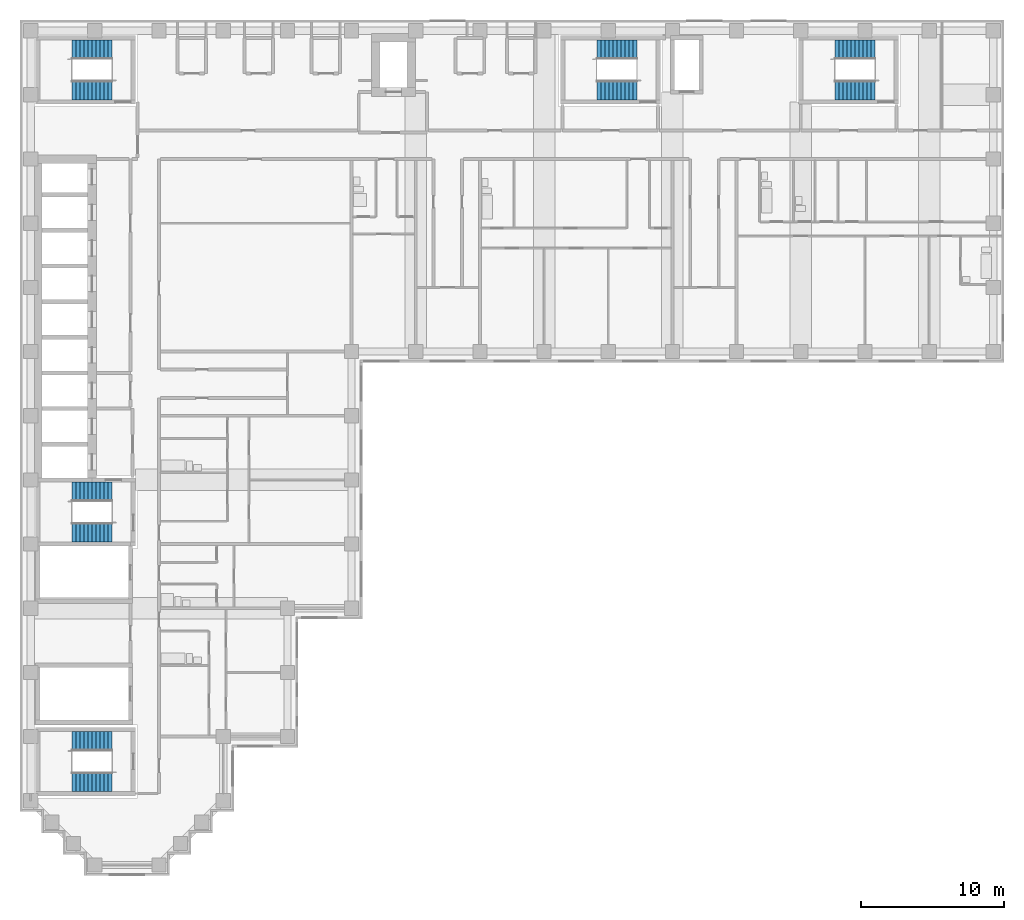
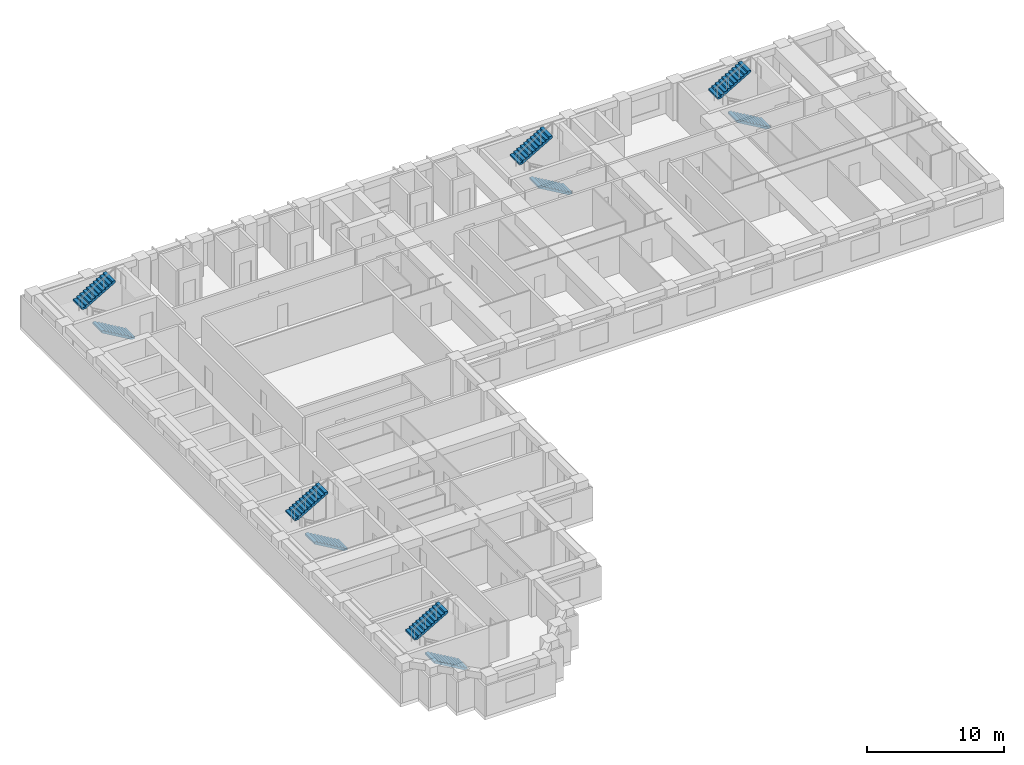
# One storey, part 10 of 12: 10 stair flights, 5 elements without a shape of their own.
"""IFC4 building model written with IfcOpenShell, lengths in metres."""

from ifc_helpers import new_model, si_unit, direction, frame, origin, place, context, subcontext, project, spatial, polyline, outline, extrude, material, type_object, element, aggregate, save


model = new_model("IFC4")

# Units and contexts
model_context = context("Model", 3, precision=1e-05, world=origin(), true_north=direction((0.0, 1.0)))
body_context = subcontext(model_context, "Body", "Model", "MODEL_VIEW")
ifc_project = project(units=[si_unit("LENGTHUNIT", "METRE"), si_unit("AREAUNIT", "SQUARE_METRE"), si_unit("VOLUMEUNIT", "CUBIC_METRE"), si_unit("PLANEANGLEUNIT", "RADIAN"), si_unit("MASSUNIT", "GRAM", prefix="KILO")], contexts=[model_context])

# Site, building, storey
site_placement = place(None, origin())
site = spatial("IfcSite", under=ifc_project, at=site_placement, CompositionType="ELEMENT")
building_placement = place(site_placement, origin())
building = spatial("IfcBuilding", under=site, at=building_placement, Name="Firuza Court", CompositionType="ELEMENT")
storey_placement = place(building_placement, frame((0.0, 0.0, 144.800048828125)))
storey = spatial("IfcBuildingStorey", under=building, at=storey_placement, Name="L36", CompositionType="ELEMENT", Elevation=144.800048828125)

# Stair, stair flights
ifc_material_1 = material(Name="Concrete C40/50 precast", Category="concrete")
stair_type = type_object("IfcStairType", Name="Stair 1350 x 3600 2 flights", PredefinedType="HALF_TURN_STAIR", material=ifc_material_1)
stair_1_placement = place(storey_placement, origin())
stair_1 = element("IfcStair", 1, at=stair_1_placement, inside=storey, type_object=stair_type, Name="Stair 1 L36", PredefinedType="HALF_TURN_STAIR")
ifc_material_2 = material(Name="Concrete C40/50 precast", Category="concrete")
stair_flight_type = type_object("IfcStairFlightType", Name="Flight 1350 riser 163.6", PredefinedType="STRAIGHT", material=ifc_material_2)
stair_flight_1_placement = place(storey_placement, frame((42.5, 54.324951171875, 0.0), z_axis=(0.0, 0.0, 1.0), x_axis=(-1.0, 0.0, 0.0)))
stair_flight_1 = element("IfcStairFlight", 2, at=stair_flight_1_placement, type_object=stair_flight_type, Name="S1 flight 1", NumberOfRisers=11, NumberOfTreads=10, PredefinedType="STRAIGHT", RiserHeight=0.163636364, TreadLength=0.28, context=body_context, shape_type="SweptSolid", body=[
    extrude(outline(polyline([(0.0, 0.0), (0.0, 0.16357421875), (0.280029296875, 0.16357421875), (0.280029296875, 0.327392578125), (0.56005859375, 0.327392578125), (0.56005859375, 0.490966796875), (0.840087890625, 0.490966796875), (0.840087890625, 0.654541015625), (1.1201171875, 0.654541015625), (1.1201171875, 0.818115234375), (1.39990234375, 0.818115234375), (1.39990234375, 0.98193359375), (1.679931640625, 0.98193359375), (1.679931640625, 1.1455078125), (1.9599609375, 1.1455078125), (1.9599609375, 1.30908203125), (2.239990234375, 1.30908203125), (2.239990234375, 1.47265625), (2.52001953125, 1.47265625), (2.52001953125, 1.636474609375), (2.800048828125, 1.636474609375), (2.800048828125, 1.800048828125), (2.800048828125, 1.462646484375), (0.297119140625, 0.0), (0.0, 0.0)])), frame((0.0, 0.675048828125, 0.0), z_axis=(0.0, -1.0, 0.0), x_axis=(1.0, 0.0, 0.0)), (0.0, 0.0, 1.0), 1.35009765625),
])
stair_flight_2_placement = place(storey_placement, frame((39.699951171875, 57.175048828125, 1.800048828125), z_axis=(0.0, 0.0, 1.0), x_axis=(1.0, 0.0, 0.0)))
stair_flight_2 = element("IfcStairFlight", 3, at=stair_flight_2_placement, type_object=stair_flight_type, Name="S1 flight 2", NumberOfRisers=11, NumberOfTreads=10, PredefinedType="STRAIGHT", RiserHeight=0.163636364, TreadLength=0.28, context=body_context, shape_type="SweptSolid", body=[
    extrude(outline(polyline([(0.0, 0.0), (0.0, 0.16357421875), (0.280029296875, 0.16357421875), (0.280029296875, 0.327392578125), (0.56005859375, 0.327392578125), (0.56005859375, 0.490966796875), (0.840087890625, 0.490966796875), (0.840087890625, 0.654541015625), (1.1201171875, 0.654541015625), (1.1201171875, 0.818115234375), (1.39990234375, 0.818115234375), (1.39990234375, 0.98193359375), (1.679931640625, 0.98193359375), (1.679931640625, 1.1455078125), (1.9599609375, 1.1455078125), (1.9599609375, 1.30908203125), (2.239990234375, 1.30908203125), (2.239990234375, 1.47265625), (2.52001953125, 1.47265625), (2.52001953125, 1.636474609375), (2.800048828125, 1.636474609375), (2.800048828125, 1.800048828125), (2.800048828125, 1.462646484375), (0.297119140625, 0.0), (0.0, 0.0)])), frame((0.0, 0.675048828125, 0.0), z_axis=(0.0, -1.0, 0.0), x_axis=(1.0, 0.0, 0.0)), (0.0, 0.0, 1.0), 1.35009765625),
])
aggregate(stair_1, [stair_flight_1, stair_flight_2])

stair_2_placement = place(storey_placement, origin())
stair_2 = element("IfcStair", 4, at=stair_2_placement, inside=storey, type_object=stair_type, Name="Stair 2 L36", PredefinedType="HALF_TURN_STAIR")
stair_flight_3_placement = place(storey_placement, frame((5.699951171875, 23.324951171875, 0.0), z_axis=(0.0, 0.0, 1.0), x_axis=(-1.0, 0.0, 0.0)))
stair_flight_3 = element("IfcStairFlight", 5, at=stair_flight_3_placement, type_object=stair_flight_type, Name="S2 flight 1", NumberOfRisers=11, NumberOfTreads=10, PredefinedType="STRAIGHT", RiserHeight=0.163636364, TreadLength=0.28, context=body_context, shape_type="SweptSolid", body=[
    extrude(outline(polyline([(0.0, 0.0), (0.0, 0.16357421875), (0.280029296875, 0.16357421875), (0.280029296875, 0.327392578125), (0.56005859375, 0.327392578125), (0.56005859375, 0.490966796875), (0.840087890625, 0.490966796875), (0.840087890625, 0.654541015625), (1.1201171875, 0.654541015625), (1.1201171875, 0.818115234375), (1.39990234375, 0.818115234375), (1.39990234375, 0.98193359375), (1.679931640625, 0.98193359375), (1.679931640625, 1.1455078125), (1.9599609375, 1.1455078125), (1.9599609375, 1.30908203125), (2.239990234375, 1.30908203125), (2.239990234375, 1.47265625), (2.52001953125, 1.47265625), (2.52001953125, 1.636474609375), (2.800048828125, 1.636474609375), (2.800048828125, 1.800048828125), (2.800048828125, 1.462646484375), (0.297119140625, 0.0), (0.0, 0.0)])), frame((0.0, 0.675048828125, 0.0), z_axis=(0.0, -1.0, 0.0), x_axis=(1.0, 0.0, 0.0)), (0.0, 0.0, 1.0), 1.35009765625),
])
stair_flight_4_placement = place(storey_placement, frame((2.89990234375, 26.175048828125, 1.800048828125), z_axis=(0.0, 0.0, 1.0), x_axis=(1.0, 0.0, 0.0)))
stair_flight_4 = element("IfcStairFlight", 6, at=stair_flight_4_placement, type_object=stair_flight_type, Name="S2 flight 2", NumberOfRisers=11, NumberOfTreads=10, PredefinedType="STRAIGHT", RiserHeight=0.163636364, TreadLength=0.28, context=body_context, shape_type="SweptSolid", body=[
    extrude(outline(polyline([(0.0, 0.0), (0.0, 0.16357421875), (0.280029296875, 0.16357421875), (0.280029296875, 0.327392578125), (0.56005859375, 0.327392578125), (0.56005859375, 0.490966796875), (0.840087890625, 0.490966796875), (0.840087890625, 0.654541015625), (1.1201171875, 0.654541015625), (1.1201171875, 0.818115234375), (1.39990234375, 0.818115234375), (1.39990234375, 0.98193359375), (1.679931640625, 0.98193359375), (1.679931640625, 1.1455078125), (1.9599609375, 1.1455078125), (1.9599609375, 1.30908203125), (2.239990234375, 1.30908203125), (2.239990234375, 1.47265625), (2.52001953125, 1.47265625), (2.52001953125, 1.636474609375), (2.800048828125, 1.636474609375), (2.800048828125, 1.800048828125), (2.800048828125, 1.462646484375), (0.297119140625, 0.0), (0.0, 0.0)])), frame((0.0, 0.675048828125, 0.0), z_axis=(0.0, -1.0, 0.0), x_axis=(1.0, 0.0, 0.0)), (0.0, 0.0, 1.0), 1.35009765625),
])
aggregate(stair_2, [stair_flight_3, stair_flight_4])

stair_3_placement = place(storey_placement, origin())
stair_3 = element("IfcStair", 7, at=stair_3_placement, inside=storey, type_object=stair_type, Name="Stair 3 L36", PredefinedType="HALF_TURN_STAIR")
stair_flight_5_placement = place(storey_placement, frame((5.699951171875, 54.324951171875, 0.0), z_axis=(0.0, 0.0, 1.0), x_axis=(-1.0, 0.0, 0.0)))
stair_flight_5 = element("IfcStairFlight", 8, at=stair_flight_5_placement, type_object=stair_flight_type, Name="S3 flight 1", NumberOfRisers=11, NumberOfTreads=10, PredefinedType="STRAIGHT", RiserHeight=0.163636364, TreadLength=0.28, context=body_context, shape_type="SweptSolid", body=[
    extrude(outline(polyline([(0.0, 0.0), (0.0, 0.16357421875), (0.280029296875, 0.16357421875), (0.280029296875, 0.327392578125), (0.56005859375, 0.327392578125), (0.56005859375, 0.490966796875), (0.840087890625, 0.490966796875), (0.840087890625, 0.654541015625), (1.1201171875, 0.654541015625), (1.1201171875, 0.818115234375), (1.39990234375, 0.818115234375), (1.39990234375, 0.98193359375), (1.679931640625, 0.98193359375), (1.679931640625, 1.1455078125), (1.9599609375, 1.1455078125), (1.9599609375, 1.30908203125), (2.239990234375, 1.30908203125), (2.239990234375, 1.47265625), (2.52001953125, 1.47265625), (2.52001953125, 1.636474609375), (2.800048828125, 1.636474609375), (2.800048828125, 1.800048828125), (2.800048828125, 1.462646484375), (0.297119140625, 0.0), (0.0, 0.0)])), frame((0.0, 0.675048828125, 0.0), z_axis=(0.0, -1.0, 0.0), x_axis=(1.0, 0.0, 0.0)), (0.0, 0.0, 1.0), 1.35009765625),
])
stair_flight_6_placement = place(storey_placement, frame((2.89990234375, 57.175048828125, 1.800048828125), z_axis=(0.0, 0.0, 1.0), x_axis=(1.0, 0.0, 0.0)))
stair_flight_6 = element("IfcStairFlight", 9, at=stair_flight_6_placement, type_object=stair_flight_type, Name="S3 flight 2", NumberOfRisers=11, NumberOfTreads=10, PredefinedType="STRAIGHT", RiserHeight=0.163636364, TreadLength=0.28, context=body_context, shape_type="SweptSolid", body=[
    extrude(outline(polyline([(0.0, 0.0), (0.0, 0.16357421875), (0.280029296875, 0.16357421875), (0.280029296875, 0.327392578125), (0.56005859375, 0.327392578125), (0.56005859375, 0.490966796875), (0.840087890625, 0.490966796875), (0.840087890625, 0.654541015625), (1.1201171875, 0.654541015625), (1.1201171875, 0.818115234375), (1.39990234375, 0.818115234375), (1.39990234375, 0.98193359375), (1.679931640625, 0.98193359375), (1.679931640625, 1.1455078125), (1.9599609375, 1.1455078125), (1.9599609375, 1.30908203125), (2.239990234375, 1.30908203125), (2.239990234375, 1.47265625), (2.52001953125, 1.47265625), (2.52001953125, 1.636474609375), (2.800048828125, 1.636474609375), (2.800048828125, 1.800048828125), (2.800048828125, 1.462646484375), (0.297119140625, 0.0), (0.0, 0.0)])), frame((0.0, 0.675048828125, 0.0), z_axis=(0.0, -1.0, 0.0), x_axis=(1.0, 0.0, 0.0)), (0.0, 0.0, 1.0), 1.35009765625),
])
aggregate(stair_3, [stair_flight_5, stair_flight_6])

stair_4_placement = place(storey_placement, origin())
stair_4 = element("IfcStair", 10, at=stair_4_placement, inside=storey, type_object=stair_type, Name="Stair 4 L36", PredefinedType="HALF_TURN_STAIR")
stair_flight_7_placement = place(storey_placement, frame((59.199951171875, 54.324951171875, 0.0), z_axis=(0.0, 0.0, 1.0), x_axis=(-1.0, 0.0, 0.0)))
stair_flight_7 = element("IfcStairFlight", 11, at=stair_flight_7_placement, type_object=stair_flight_type, Name="S4 flight 1", NumberOfRisers=11, NumberOfTreads=10, PredefinedType="STRAIGHT", RiserHeight=0.163636364, TreadLength=0.28, context=body_context, shape_type="SweptSolid", body=[
    extrude(outline(polyline([(0.0, 0.0), (0.0, 0.16357421875), (0.280029296875, 0.16357421875), (0.280029296875, 0.327392578125), (0.56005859375, 0.327392578125), (0.56005859375, 0.490966796875), (0.840087890625, 0.490966796875), (0.840087890625, 0.654541015625), (1.1201171875, 0.654541015625), (1.1201171875, 0.818115234375), (1.39990234375, 0.818115234375), (1.39990234375, 0.98193359375), (1.679931640625, 0.98193359375), (1.679931640625, 1.1455078125), (1.9599609375, 1.1455078125), (1.9599609375, 1.30908203125), (2.239990234375, 1.30908203125), (2.239990234375, 1.47265625), (2.52001953125, 1.47265625), (2.52001953125, 1.636474609375), (2.800048828125, 1.636474609375), (2.800048828125, 1.800048828125), (2.800048828125, 1.462646484375), (0.297119140625, 0.0), (0.0, 0.0)])), frame((0.0, 0.675048828125, 0.0), z_axis=(0.0, -1.0, 0.0), x_axis=(1.0, 0.0, 0.0)), (0.0, 0.0, 1.0), 1.35009765625),
])
stair_flight_8_placement = place(storey_placement, frame((56.39990234375, 57.175048828125, 1.800048828125), z_axis=(0.0, 0.0, 1.0), x_axis=(1.0, 0.0, 0.0)))
stair_flight_8 = element("IfcStairFlight", 12, at=stair_flight_8_placement, type_object=stair_flight_type, Name="S4 flight 2", NumberOfRisers=11, NumberOfTreads=10, PredefinedType="STRAIGHT", RiserHeight=0.163636364, TreadLength=0.28, context=body_context, shape_type="SweptSolid", body=[
    extrude(outline(polyline([(0.0, 0.0), (0.0, 0.16357421875), (0.280029296875, 0.16357421875), (0.280029296875, 0.327392578125), (0.56005859375, 0.327392578125), (0.56005859375, 0.490966796875), (0.840087890625, 0.490966796875), (0.840087890625, 0.654541015625), (1.1201171875, 0.654541015625), (1.1201171875, 0.818115234375), (1.39990234375, 0.818115234375), (1.39990234375, 0.98193359375), (1.679931640625, 0.98193359375), (1.679931640625, 1.1455078125), (1.9599609375, 1.1455078125), (1.9599609375, 1.30908203125), (2.239990234375, 1.30908203125), (2.239990234375, 1.47265625), (2.52001953125, 1.47265625), (2.52001953125, 1.636474609375), (2.800048828125, 1.636474609375), (2.800048828125, 1.800048828125), (2.800048828125, 1.462646484375), (0.297119140625, 0.0), (0.0, 0.0)])), frame((0.0, 0.675048828125, 0.0), z_axis=(0.0, -1.0, 0.0), x_axis=(1.0, 0.0, 0.0)), (0.0, 0.0, 1.0), 1.35009765625),
])
aggregate(stair_4, [stair_flight_7, stair_flight_8])

stair_5_placement = place(storey_placement, origin())
stair_5 = element("IfcStair", 13, at=stair_5_placement, inside=storey, type_object=stair_type, Name="Stair 5 L36", PredefinedType="HALF_TURN_STAIR")
stair_flight_9_placement = place(storey_placement, frame((5.699951171875, 5.824951171875, 0.0), z_axis=(0.0, 0.0, 1.0), x_axis=(-1.0, 0.0, 0.0)))
stair_flight_9 = element("IfcStairFlight", 14, at=stair_flight_9_placement, type_object=stair_flight_type, Name="S5 flight 1", NumberOfRisers=11, NumberOfTreads=10, PredefinedType="STRAIGHT", RiserHeight=0.163636364, TreadLength=0.28, context=body_context, shape_type="SweptSolid", body=[
    extrude(outline(polyline([(0.0, 0.0), (0.0, 0.16357421875), (0.280029296875, 0.16357421875), (0.280029296875, 0.327392578125), (0.56005859375, 0.327392578125), (0.56005859375, 0.490966796875), (0.840087890625, 0.490966796875), (0.840087890625, 0.654541015625), (1.1201171875, 0.654541015625), (1.1201171875, 0.818115234375), (1.39990234375, 0.818115234375), (1.39990234375, 0.98193359375), (1.679931640625, 0.98193359375), (1.679931640625, 1.1455078125), (1.9599609375, 1.1455078125), (1.9599609375, 1.30908203125), (2.239990234375, 1.30908203125), (2.239990234375, 1.47265625), (2.52001953125, 1.47265625), (2.52001953125, 1.636474609375), (2.800048828125, 1.636474609375), (2.800048828125, 1.800048828125), (2.800048828125, 1.462646484375), (0.297119140625, 0.0), (0.0, 0.0)])), frame((0.0, 0.675048828125, 0.0), z_axis=(0.0, -1.0, 0.0), x_axis=(1.0, 0.0, 0.0)), (0.0, 0.0, 1.0), 1.35009765625),
])
stair_flight_10_placement = place(storey_placement, frame((2.89990234375, 8.675048828125, 1.800048828125), z_axis=(0.0, 0.0, 1.0), x_axis=(1.0, 0.0, 0.0)))
stair_flight_10 = element("IfcStairFlight", 15, at=stair_flight_10_placement, type_object=stair_flight_type, Name="S5 flight 2", NumberOfRisers=11, NumberOfTreads=10, PredefinedType="STRAIGHT", RiserHeight=0.163636364, TreadLength=0.28, context=body_context, shape_type="SweptSolid", body=[
    extrude(outline(polyline([(0.0, 0.0), (0.0, 0.16357421875), (0.280029296875, 0.16357421875), (0.280029296875, 0.327392578125), (0.56005859375, 0.327392578125), (0.56005859375, 0.490966796875), (0.840087890625, 0.490966796875), (0.840087890625, 0.654541015625), (1.1201171875, 0.654541015625), (1.1201171875, 0.818115234375), (1.39990234375, 0.818115234375), (1.39990234375, 0.98193359375), (1.679931640625, 0.98193359375), (1.679931640625, 1.1455078125), (1.9599609375, 1.1455078125), (1.9599609375, 1.30908203125), (2.239990234375, 1.30908203125), (2.239990234375, 1.47265625), (2.52001953125, 1.47265625), (2.52001953125, 1.636474609375), (2.800048828125, 1.636474609375), (2.800048828125, 1.800048828125), (2.800048828125, 1.462646484375), (0.297119140625, 0.0), (0.0, 0.0)])), frame((0.0, 0.675048828125, 0.0), z_axis=(0.0, -1.0, 0.0), x_axis=(1.0, 0.0, 0.0)), (0.0, 0.0, 1.0), 1.35009765625),
])
aggregate(stair_5, [stair_flight_9, stair_flight_10])

save(model, "model.ifc")
